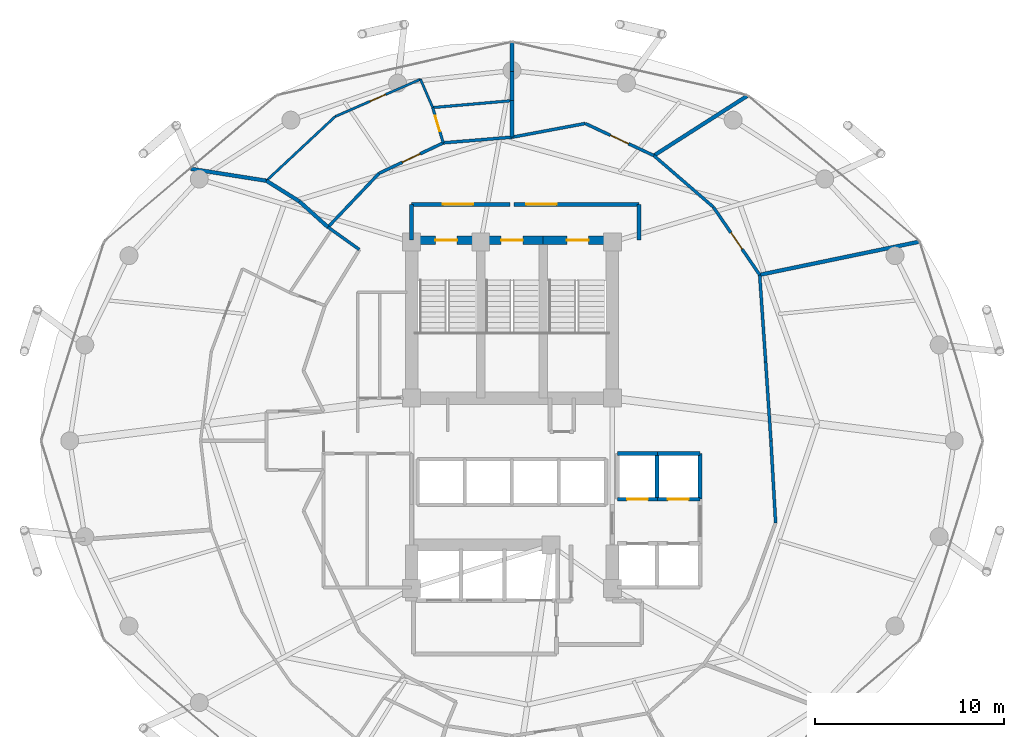
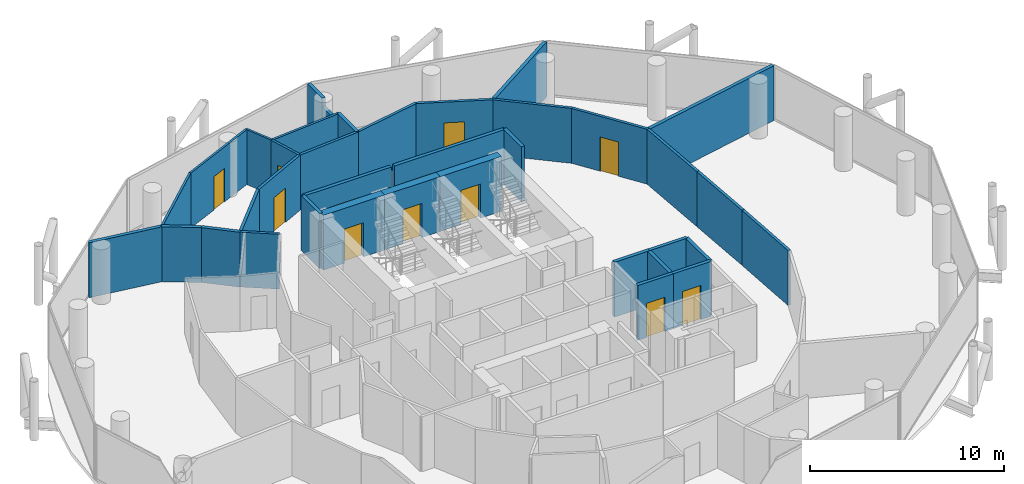
# One storey, part 24 of 26: 37 walls, 12 doors, 12 openings.
"""IFC4 building model written with IfcOpenShell, lengths in metres."""

from ifc_helpers import new_model, si_unit, direction, frame, frame_2d, origin, place, context, subcontext, project, spatial, rectangle, extrude, material, layer, layer_set, type_object, element, fill, save


model = new_model("IFC4")

# Units and contexts
model_context = context("Model", 3, precision=1e-05, world=origin(), true_north=direction((0.0, 1.0)))
body_context = subcontext(model_context, "Body", "Model", "MODEL_VIEW")
ifc_project = project(units=[si_unit("LENGTHUNIT", "METRE"), si_unit("AREAUNIT", "SQUARE_METRE"), si_unit("VOLUMEUNIT", "CUBIC_METRE"), si_unit("PLANEANGLEUNIT", "RADIAN"), si_unit("MASSUNIT", "GRAM", prefix="KILO")], contexts=[model_context])

# Site, building, storey
site_placement = place(None, origin())
site = spatial("IfcSite", under=ifc_project, at=site_placement, CompositionType="ELEMENT")
building_placement = place(site_placement, origin())
building = spatial("IfcBuilding", under=site, at=building_placement, Name="Nuhasar Tower", CompositionType="ELEMENT")
storey_placement = place(building_placement, frame((0.0, 0.0, 140.449951171875)))
storey = spatial("IfcBuildingStorey", under=building, at=storey_placement, Name="L33", CompositionType="ELEMENT", Elevation=140.449951171875)

# Wall, opening, door
ifc_material_1 = material(Name="Concrete C50/60", Category="concrete")
ifc_layer_1 = layer(ifc_material_1, 0.449951171875)
ifc_layer_set_1 = layer_set([ifc_layer_1], Name="Concrete C50/60")
wall_type_1 = type_object("IfcWallType", Name="WL-CORE-450", PredefinedType="SHEAR", material=ifc_layer_set_1)
wall_1_placement = place(storey_placement, frame((37.35009765625, 37.39990234375, 0.0), z_axis=(0.0, 0.0, 1.0), x_axis=(-1.0, 0.0, 0.0)))
wall_1 = element("IfcWall", 1, at=wall_1_placement, inside=storey, type_object=wall_type_1, Name="L33 Stairwell Shear Wall ST01-N", PredefinedType="SHEAR", context=body_context, shape_type="SweptSolid", body=[
    extrude(rectangle(XDim=3.650146484375, YDim=0.449951171875, at=frame_2d((1.8251953125, 0.0))), origin(), (0.0, 0.0, 1.0), 3.449951171875),
])
opening_1_placement = place(wall_1_placement, frame((1.25, 0.0, 0.0)))
opening_1 = element("IfcOpeningElement", 2, at=opening_1_placement, cuts=wall_1, Name="Opening DS-01", PredefinedType="OPENING", context=body_context, shape_type="SweptSolid", body=[
    extrude(rectangle(XDim=1.14990234375, YDim=2.14990234375, at=frame_2d((0.574951171875, 1.074951171875))), frame((0.0, 0.23486328125, 0.0), z_axis=(0.0, -1.0, 0.0), x_axis=(1.0, 0.0, 0.0)), (0.0, 0.0, 1.0), 0.469970703125),
])
ifc_material_2 = material(Name="Steel S355", Category="steel")
door_type_1 = type_object("IfcDoorType", Name="DR-STAIR-FD120-1150", OperationType="NOTDEFINED", PredefinedType="DOOR", material=ifc_material_2)
door_1_placement = place(opening_1_placement, origin())
door_1 = element("IfcDoor", 3, at=door_1_placement, inside=storey, type_object=door_type_1, Name="L33 Exit Stair ST-01 Door", OperationType="SINGLE_SWING_RIGHT", OverallHeight=2.14990234375, OverallWidth=1.14990234375, PredefinedType="DOOR", context=body_context, shape_type="SweptSolid", body=[
    extrude(rectangle(XDim=1.14990234375, YDim=2.14990234375, at=frame_2d((0.574951171875, 1.074951171875))), frame((0.0, 0.02490234375, 0.0), z_axis=(0.0, -1.0, 0.0), x_axis=(1.0, 0.0, 0.0)), (0.0, 0.0, 1.0), 0.050048828125),
])
fill(opening_1, door_1)

wall_2_placement = place(storey_placement, frame((40.64990234375, 37.39990234375, 0.0), z_axis=(0.0, 0.0, 1.0), x_axis=(-1.0, 0.0, 0.0)))
wall_2 = element("IfcWall", 4, at=wall_2_placement, inside=storey, type_object=wall_type_1, Name="L33 Stairwell Shear Wall ST03-N", PredefinedType="SHEAR", context=body_context, shape_type="SweptSolid", body=[
    extrude(rectangle(XDim=3.2998046875, YDim=0.449951171875, at=frame_2d((1.64990234375, 0.0))), origin(), (0.0, 0.0, 1.0), 3.449951171875),
])
opening_2_placement = place(wall_2_placement, frame((1.074951171875, 0.0, 0.0)))
opening_2 = element("IfcOpeningElement", 5, at=opening_2_placement, cuts=wall_2, Name="Opening DS-01", PredefinedType="OPENING", context=body_context, shape_type="SweptSolid", body=[
    extrude(rectangle(XDim=1.14990234375, YDim=2.14990234375, at=frame_2d((0.574951171875, 1.074951171875))), frame((0.0, 0.23486328125, 0.0), z_axis=(0.0, -1.0, 0.0), x_axis=(1.0, 0.0, 0.0)), (0.0, 0.0, 1.0), 0.469970703125),
])
door_2_placement = place(opening_2_placement, origin())
door_2 = element("IfcDoor", 6, at=door_2_placement, inside=storey, type_object=door_type_1, Name="L33 Exit Stair ST-03 Door", OperationType="SINGLE_SWING_RIGHT", OverallHeight=2.14990234375, OverallWidth=1.14990234375, PredefinedType="DOOR", context=body_context, shape_type="SweptSolid", body=[
    extrude(rectangle(XDim=1.14990234375, YDim=2.14990234375, at=frame_2d((0.574951171875, 1.074951171875))), frame((0.0, 0.02490234375, 0.0), z_axis=(0.0, -1.0, 0.0), x_axis=(1.0, 0.0, 0.0)), (0.0, 0.0, 1.0), 0.050048828125),
])
fill(opening_2, door_2)

wall_3_placement = place(storey_placement, frame((44.300048828125, 37.39990234375, 0.0), z_axis=(0.0, 0.0, 1.0), x_axis=(-1.0, 0.0, 0.0)))
wall_3 = element("IfcWall", 7, at=wall_3_placement, inside=storey, type_object=wall_type_1, Name="L33 Stairwell Shear Wall ST02-N", PredefinedType="SHEAR", context=body_context, shape_type="SweptSolid", body=[
    extrude(rectangle(XDim=3.650146484375, YDim=0.449951171875, at=frame_2d((1.8251953125, 0.0))), origin(), (0.0, 0.0, 1.0), 3.449951171875),
])
opening_3_placement = place(wall_3_placement, frame((1.25, 0.0, 0.0)))
opening_3 = element("IfcOpeningElement", 8, at=opening_3_placement, cuts=wall_3, Name="Opening DS-01", PredefinedType="OPENING", context=body_context, shape_type="SweptSolid", body=[
    extrude(rectangle(XDim=1.14990234375, YDim=2.14990234375, at=frame_2d((0.574951171875, 1.074951171875))), frame((0.0, 0.23486328125, 0.0), z_axis=(0.0, -1.0, 0.0), x_axis=(1.0, 0.0, 0.0)), (0.0, 0.0, 1.0), 0.469970703125),
])
door_3_placement = place(opening_3_placement, origin())
door_3 = element("IfcDoor", 9, at=door_3_placement, inside=storey, type_object=door_type_1, Name="L33 Exit Stair ST-02 Door", OperationType="SINGLE_SWING_LEFT", OverallHeight=2.14990234375, OverallWidth=1.14990234375, PredefinedType="DOOR", context=body_context, shape_type="SweptSolid", body=[
    extrude(rectangle(XDim=1.14990234375, YDim=2.14990234375, at=frame_2d((0.574951171875, 1.074951171875))), frame((0.0, 0.02490234375, 0.0), z_axis=(0.0, -1.0, 0.0), x_axis=(1.0, 0.0, 0.0)), (0.0, 0.0, 1.0), 0.050048828125),
])
fill(opening_3, door_3)

# Walls
ifc_material_3 = material(Name="Gypsum Board", Category="gypsum")
ifc_layer_2 = layer(ifc_material_3, 0.159912109375)
ifc_layer_set_2 = layer_set([ifc_layer_2], Name="Gypsum Board")
wall_type_2 = type_object("IfcWallType", Name="WL-CORR-160", PredefinedType="PARTITIONING", material=ifc_layer_set_2)
wall_4_placement = place(storey_placement, frame((52.91796875, 22.470947265625, 0.0), z_axis=(0.0, 0.0, 1.0), x_axis=(-0.057203717973, 0.998362526666, 0.0)))
element("IfcWall", 10, at=wall_4_placement, inside=storey, type_object=wall_type_2, Name="L33 Interior Partition CORR-46", PredefinedType="PARTITIONING", context=body_context, shape_type="SweptSolid", body=[
    extrude(rectangle(XDim=4.336181640625, YDim=0.159912109375, at=frame_2d((2.16796875, 0.0))), origin(), (0.0, 0.0, 1.0), 3.449951171875),
])
wall_5_placement = place(storey_placement, frame((52.669921875, 26.800048828125, 0.0), z_axis=(0.0, 0.0, 1.0), x_axis=(-0.066309434359, 0.997799107494, 0.0)))
element("IfcWall", 11, at=wall_5_placement, inside=storey, type_object=wall_type_2, Name="L33 Interior Partition CORR-00", PredefinedType="PARTITIONING", context=body_context, shape_type="SweptSolid", body=[
    extrude(rectangle(XDim=4.17529296875, YDim=0.159912109375, at=frame_2d((2.087646484375, 0.0))), origin(), (0.0, 0.0, 1.0), 3.449951171875),
])
wall_6_placement = place(storey_placement, frame((52.39306640625, 30.966064453125, 0.0), z_axis=(0.0, 0.0, 1.0), x_axis=(-0.068811181555, 0.997629701489, 0.0)))
element("IfcWall", 12, at=wall_6_placement, inside=storey, type_object=wall_type_2, Name="L33 Interior Partition CORR-02", PredefinedType="PARTITIONING", context=body_context, shape_type="SweptSolid", body=[
    extrude(rectangle(XDim=4.60888671875, YDim=0.159912109375, at=frame_2d((2.304443359375, 0.0))), origin(), (0.0, 0.0, 1.0), 3.449951171875),
])

# Wall, opening, door
wall_7_placement = place(storey_placement, frame((49.631103515625, 39.14306640625, 0.0), z_axis=(0.0, 0.0, 1.0), x_axis=(0.564049708202, -0.825740835055, 0.0)))
wall_7 = element("IfcWall", 13, at=wall_7_placement, inside=storey, type_object=wall_type_2, Name="L33 Interior Partition CORR-04", PredefinedType="PARTITIONING", context=body_context, shape_type="SweptSolid", body=[
    extrude(rectangle(XDim=4.33447265625, YDim=0.159912109375, at=frame_2d((2.167236328125, 0.0))), origin(), (0.0, 0.0, 1.0), 3.449951171875),
])
opening_4_placement = place(wall_7_placement, frame((1.64208984375, 0.0, 0.0)))
opening_4 = element("IfcOpeningElement", 14, at=opening_4_placement, cuts=wall_7, Name="Opening DU-01", PredefinedType="OPENING", context=body_context, shape_type="SweptSolid", body=[
    extrude(rectangle(XDim=1.050048828125, YDim=2.14990234375, at=frame_2d((0.52490234375, 1.074951171875))), frame((0.0, 0.08984375, 0.0), z_axis=(0.0, -1.0, 0.0), x_axis=(1.0, 0.0, 0.0)), (0.0, 0.0, 1.0), 0.179931640625),
])
ifc_material_4 = material(Name="Timber Oak", Category="wood")
door_type_2 = type_object("IfcDoorType", Name="DR-SUITE-FD60-1050", OperationType="NOTDEFINED", PredefinedType="DOOR", material=ifc_material_4)
door_4_placement = place(opening_4_placement, origin())
door_4 = element("IfcDoor", 15, at=door_4_placement, inside=storey, type_object=door_type_2, Name="L33 Club Buffet Kitchen Entrance Door", OperationType="SINGLE_SWING_RIGHT", OverallHeight=2.14990234375, OverallWidth=1.050048828125, PredefinedType="DOOR", context=body_context, shape_type="SweptSolid", body=[
    extrude(rectangle(XDim=1.050048828125, YDim=2.14990234375, at=frame_2d((0.52490234375, 1.074951171875))), frame((0.0, 0.02490234375, 0.0), z_axis=(0.0, -1.0, 0.0), x_axis=(1.0, 0.0, 0.0)), (0.0, 0.0, 1.0), 0.050048828125),
])
fill(opening_4, door_4)

# Wall
wall_8_placement = place(storey_placement, frame((49.631103515625, 39.14306640625, 0.0), z_axis=(0.0, 0.0, 1.0), x_axis=(-0.756415827975, 0.65409104503, 0.0)))
element("IfcWall", 16, at=wall_8_placement, inside=storey, type_object=wall_type_2, Name="L33 Interior Partition CORR-06", PredefinedType="PARTITIONING", context=body_context, shape_type="SweptSolid", body=[
    extrude(rectangle(XDim=4.15380859375, YDim=0.159912109375, at=frame_2d((2.076904296875, 0.0))), origin(), (0.0, 0.0, 1.0), 3.449951171875),
])

# Wall, opening, door
wall_9_placement = place(storey_placement, frame((42.866943359375, 43.553955078125, 0.0), z_axis=(0.0, 0.0, 1.0), x_axis=(0.905842799217, -0.423614002492, 0.0)))
wall_9 = element("IfcWall", 17, at=wall_9_placement, inside=storey, type_object=wall_type_2, Name="L33 Interior Partition CORR-08", PredefinedType="PARTITIONING", context=body_context, shape_type="SweptSolid", body=[
    extrude(rectangle(XDim=3.99853515625, YDim=0.159912109375, at=frame_2d((1.999267578125, 0.0))), origin(), (0.0, 0.0, 1.0), 3.449951171875),
])
opening_5_placement = place(wall_9_placement, frame((1.47412109375, 0.0, 0.0)))
opening_5 = element("IfcOpeningElement", 18, at=opening_5_placement, cuts=wall_9, Name="Opening DU-01", PredefinedType="OPENING", context=body_context, shape_type="SweptSolid", body=[
    extrude(rectangle(XDim=1.050048828125, YDim=2.14990234375, at=frame_2d((0.52490234375, 1.074951171875))), frame((0.0, 0.08984375, 0.0), z_axis=(0.0, -1.0, 0.0), x_axis=(1.0, 0.0, 0.0)), (0.0, 0.0, 1.0), 0.179931640625),
])
door_5_placement = place(opening_5_placement, origin())
door_5 = element("IfcDoor", 19, at=door_5_placement, inside=storey, type_object=door_type_2, Name="L33 Club Meeting Room Entrance Door", OperationType="SINGLE_SWING_RIGHT", OverallHeight=2.14990234375, OverallWidth=1.050048828125, PredefinedType="DOOR", context=body_context, shape_type="SweptSolid", body=[
    extrude(rectangle(XDim=1.050048828125, YDim=2.14990234375, at=frame_2d((0.52490234375, 1.074951171875))), frame((0.0, 0.02490234375, 0.0), z_axis=(0.0, -1.0, 0.0), x_axis=(1.0, 0.0, 0.0)), (0.0, 0.0, 1.0), 0.050048828125),
])
fill(opening_5, door_5)

# Walls
wall_10_placement = place(storey_placement, frame((42.866943359375, 43.553955078125, 0.0), z_axis=(0.0, 0.0, 1.0), x_axis=(-0.982926239859, -0.184000019015, 0.0)))
element("IfcWall", 20, at=wall_10_placement, inside=storey, type_object=wall_type_2, Name="L33 Interior Partition CORR-10", PredefinedType="PARTITIONING", context=body_context, shape_type="SweptSolid", body=[
    extrude(rectangle(XDim=3.93408203125, YDim=0.159912109375, at=frame_2d((1.967041015625, 0.0))), origin(), (0.0, 0.0, 1.0), 3.449951171875),
])
wall_11_placement = place(storey_placement, frame((39.0, 42.830078125, 0.0), z_axis=(0.0, 0.0, 1.0), x_axis=(-0.996622986435, -0.082113475813, 0.0)))
element("IfcWall", 21, at=wall_11_placement, inside=storey, type_object=wall_type_2, Name="L33 Interior Partition CORR-12", PredefinedType="PARTITIONING", context=body_context, shape_type="SweptSolid", body=[
    extrude(rectangle(XDim=3.64208984375, YDim=0.159912109375, at=frame_2d((1.821044921875, 0.0))), origin(), (0.0, 0.0, 1.0), 3.449951171875),
])

# Wall, opening, door
wall_12_placement = place(storey_placement, frame((31.97802734375, 40.919921875, 0.0), z_axis=(0.0, 0.0, 1.0), x_axis=(0.903293881329, 0.429022335029, 0.0)))
wall_12 = element("IfcWall", 22, at=wall_12_placement, inside=storey, type_object=wall_type_2, Name="L33 Interior Partition CORR-14", PredefinedType="PARTITIONING", context=body_context, shape_type="SweptSolid", body=[
    extrude(rectangle(XDim=3.755126953125, YDim=0.159912109375, at=frame_2d((1.87744140625, 0.0))), origin(), (0.0, 0.0, 1.0), 3.449951171875),
])
opening_6_placement = place(wall_12_placement, frame((1.35302734375, 0.0, 0.0)))
opening_6 = element("IfcOpeningElement", 23, at=opening_6_placement, cuts=wall_12, Name="Opening DU-01", PredefinedType="OPENING", context=body_context, shape_type="SweptSolid", body=[
    extrude(rectangle(XDim=1.050048828125, YDim=2.14990234375, at=frame_2d((0.52490234375, 1.074951171875))), frame((0.0, 0.08984375, 0.0), z_axis=(0.0, -1.0, 0.0), x_axis=(1.0, 0.0, 0.0)), (0.0, 0.0, 1.0), 0.179931640625),
])
door_6_placement = place(opening_6_placement, origin())
door_6 = element("IfcDoor", 24, at=door_6_placement, inside=storey, type_object=door_type_2, Name="L33 Marina Corner Suite 03 Entrance Door", OperationType="SINGLE_SWING_LEFT", OverallHeight=2.14990234375, OverallWidth=1.050048828125, PredefinedType="DOOR", context=body_context, shape_type="SweptSolid", body=[
    extrude(rectangle(XDim=1.050048828125, YDim=2.14990234375, at=frame_2d((0.52490234375, 1.074951171875))), frame((0.0, 0.02490234375, 0.0), z_axis=(0.0, -1.0, 0.0), x_axis=(1.0, 0.0, 0.0)), (0.0, 0.0, 1.0), 0.050048828125),
])
fill(opening_6, door_6)

# Walls
wall_13_placement = place(storey_placement, frame((31.97802734375, 40.919921875, 0.0), z_axis=(0.0, 0.0, 1.0), x_axis=(-0.688624853508, -0.725117791211, 0.0)))
element("IfcWall", 25, at=wall_13_placement, inside=storey, type_object=wall_type_2, Name="L33 Interior Partition CORR-16", PredefinedType="PARTITIONING", context=body_context, shape_type="SweptSolid", body=[
    extrude(rectangle(XDim=3.91357421875, YDim=0.159912109375, at=frame_2d((1.956787109375, 0.0))), origin(), (0.0, 0.0, 1.0), 3.449951171875),
])
wall_14_placement = place(storey_placement, frame((30.93896484375, 36.89697265625, 0.0), z_axis=(0.0, 0.0, 1.0), x_axis=(-0.813222809356, 0.581952457116, 0.0)))
element("IfcWall", 26, at=wall_14_placement, inside=storey, type_object=wall_type_2, Name="L33 Interior Partition HRAD-18-IN", PredefinedType="PARTITIONING", context=body_context, shape_type="SweptSolid", body=[
    extrude(rectangle(XDim=2.036376953125, YDim=0.159912109375, at=frame_2d((1.01806640625, 0.0))), origin(), (0.0, 0.0, 1.0), 3.449951171875),
])
ifc_material_5 = material(Name="Concrete C45/55", Category="concrete")
ifc_layer_3 = layer(ifc_material_5, 0.199951171875)
ifc_layer_set_3 = layer_set([ifc_layer_3], Name="Concrete C45/55")
wall_type_3 = type_object("IfcWallType", Name="WL-LOBBY-200", PredefinedType="SOLIDWALL", material=ifc_layer_set_3)
for number, where, z_axis, x_axis, name in (
    (27, (33.699951171875, 37.39990234375, 0.0), (0.0, 0.0, 1.0), (0.0, 1.0, 0.0), "L33 Interior Partition NSL-W"),
    (28, (45.699951171875, 37.39990234375, 0.0), (0.0, 0.0, 1.0), (0.0, 1.0, 0.0), "L33 Interior Partition NSL-E"),
):
    element("IfcWall", number, at=place(storey_placement, frame(where, z_axis=z_axis, x_axis=x_axis)), inside=storey, type_object=wall_type_3, Name=name, PredefinedType="SOLIDWALL", context=body_context, shape_type="SweptSolid", body=[
        extrude(rectangle(XDim=1.880126953125, YDim=0.199951171875, at=frame_2d((0.93994140625, 0.0))), origin(), (0.0, 0.0, 1.0), 3.449951171875),
    ])

# Wall, opening, door
wall_15_placement = place(storey_placement, frame((38.89990234375, 39.280029296875, 0.0), z_axis=(0.0, 0.0, 1.0), x_axis=(-1.0, 0.0, 0.0)))
wall_15 = element("IfcWall", 29, at=wall_15_placement, inside=storey, type_object=wall_type_3, Name="L33 Interior Partition NSL-N1", PredefinedType="SOLIDWALL", context=body_context, shape_type="SweptSolid", body=[
    extrude(rectangle(XDim=5.199951171875, YDim=0.199951171875, at=frame_2d((2.60009765625, 0.0))), origin(), (0.0, 0.0, 1.0), 3.449951171875),
])
opening_7_placement = place(wall_15_placement, frame((1.949951171875, 0.0, 0.0)))
opening_7 = element("IfcOpeningElement", 30, at=opening_7_placement, cuts=wall_15, Name="Opening DC-01", PredefinedType="OPENING", context=body_context, shape_type="SweptSolid", body=[
    extrude(rectangle(XDim=1.60009765625, YDim=2.199951171875, at=frame_2d((0.800048828125, 1.10009765625))), frame((0.0, 0.10986328125, 0.0), z_axis=(0.0, -1.0, 0.0), x_axis=(1.0, 0.0, 0.0)), (0.0, 0.0, 1.0), 0.219970703125),
])
door_type_3 = type_object("IfcDoorType", Name="DR-CORR-FD60-1600", OperationType="DOUBLE_DOOR_SINGLE_SWING", PredefinedType="DOOR", material=ifc_material_2)
door_7_placement = place(opening_7_placement, origin())
door_7 = element("IfcDoor", 31, at=door_7_placement, inside=storey, type_object=door_type_3, Name="L33 North Stair Lobby West Door", OperationType="DOUBLE_DOOR_SINGLE_SWING", OverallHeight=2.199951171875, OverallWidth=1.60009765625, PredefinedType="DOOR", context=body_context, shape_type="SweptSolid", body=[
    extrude(rectangle(XDim=1.60009765625, YDim=2.199951171875, at=frame_2d((0.800048828125, 1.10009765625))), frame((0.0, 0.02490234375, 0.0), z_axis=(0.0, -1.0, 0.0), x_axis=(1.0, 0.0, 0.0)), (0.0, 0.0, 1.0), 0.050048828125),
])
fill(opening_7, door_7)

wall_16_placement = place(storey_placement, frame((45.699951171875, 39.280029296875, 0.0), z_axis=(0.0, 0.0, 1.0), x_axis=(-1.0, 0.0, 0.0)))
wall_16 = element("IfcWall", 32, at=wall_16_placement, inside=storey, type_object=wall_type_3, Name="L33 Interior Partition NSL-N2", PredefinedType="SOLIDWALL", context=body_context, shape_type="SweptSolid", body=[
    extrude(rectangle(XDim=6.599853515625, YDim=0.199951171875, at=frame_2d((3.2998046875, 0.0))), origin(), (0.0, 0.0, 1.0), 3.449951171875),
])
opening_8_placement = place(wall_16_placement, frame((4.35009765625, 0.0, 0.0)))
opening_8 = element("IfcOpeningElement", 33, at=opening_8_placement, cuts=wall_16, Name="Opening DC-01", PredefinedType="OPENING", context=body_context, shape_type="SweptSolid", body=[
    extrude(rectangle(XDim=1.60009765625, YDim=2.199951171875, at=frame_2d((0.800048828125, 1.10009765625))), frame((0.0, 0.10986328125, 0.0), z_axis=(0.0, -1.0, 0.0), x_axis=(1.0, 0.0, 0.0)), (0.0, 0.0, 1.0), 0.219970703125),
])
door_8_placement = place(opening_8_placement, origin())
door_8 = element("IfcDoor", 34, at=door_8_placement, inside=storey, type_object=door_type_3, Name="L33 North Stair Lobby East Door", OperationType="DOUBLE_DOOR_SINGLE_SWING", OverallHeight=2.199951171875, OverallWidth=1.60009765625, PredefinedType="DOOR", context=body_context, shape_type="SweptSolid", body=[
    extrude(rectangle(XDim=1.60009765625, YDim=2.199951171875, at=frame_2d((0.800048828125, 1.10009765625))), frame((0.0, 0.02490234375, 0.0), z_axis=(0.0, -1.0, 0.0), x_axis=(1.0, 0.0, 0.0)), (0.0, 0.0, 1.0), 0.050048828125),
])
fill(opening_8, door_8)

# Wall
ifc_layer_4 = layer(ifc_material_3, 0.125)
ifc_layer_set_4 = layer_set([ifc_layer_4], Name="Gypsum Board")
wall_type_4 = type_object("IfcWallType", Name="WL-PART-125", PredefinedType="PARTITIONING", material=ifc_layer_set_4)
wall_17_placement = place(storey_placement, frame((34.81298828125, 44.39404296875, 0.0), z_axis=(0.0, 0.0, 1.0), x_axis=(-0.395456593767, 0.918484666419, 0.0)))
element("IfcWall", 35, at=wall_17_placement, inside=storey, type_object=wall_type_4, Name="L33 Interior Partition HBS-06", PredefinedType="PARTITIONING", context=body_context, shape_type="SweptSolid", body=[
    extrude(rectangle(XDim=1.628662109375, YDim=0.125, at=frame_2d((0.814453125, 0.0))), origin(), (0.0, 0.0, 1.0), 3.449951171875),
])

# Wall, opening, door
wall_18_placement = place(storey_placement, frame((29.6650390625, 43.9208984375, 0.0), z_axis=(0.0, 0.0, 1.0), x_axis=(0.916266732184, 0.400568690105, 0.0)))
wall_18 = element("IfcWall", 36, at=wall_18_placement, inside=storey, type_object=wall_type_4, Name="L33 Interior Partition HSAL-06-14", PredefinedType="PARTITIONING", context=body_context, shape_type="SweptSolid", body=[
    extrude(rectangle(XDim=4.91552734375, YDim=0.125, at=frame_2d((2.457763671875, 0.0))), origin(), (0.0, 0.0, 1.0), 3.449951171875),
])
opening_9_placement = place(wall_18_placement, frame((2.008056640625, 0.0, 0.0)))
opening_9 = element("IfcOpeningElement", 37, at=opening_9_placement, cuts=wall_18, Name="Opening DR-01", PredefinedType="OPENING", context=body_context, shape_type="SweptSolid", body=[
    extrude(rectangle(XDim=0.89990234375, YDim=2.10009765625, at=frame_2d((0.449951171875, 1.050048828125))), frame((0.0, 0.072509765625, 0.0), z_axis=(0.0, -1.0, 0.0), x_axis=(1.0, 0.0, 0.0)), (0.0, 0.0, 1.0), 0.14501953125),
])
door_type_4 = type_object("IfcDoorType", Name="DR-ROOM-900", OperationType="NOTDEFINED", PredefinedType="DOOR", material=ifc_material_4)
door_9_placement = place(opening_9_placement, origin())
door_9 = element("IfcDoor", 38, at=door_9_placement, inside=storey, type_object=door_type_4, Name="L33 Marina Corner Suite 03 Bedroom Door", OperationType="SINGLE_SWING_LEFT", OverallHeight=2.10009765625, OverallWidth=0.89990234375, PredefinedType="DOOR", context=body_context, shape_type="SweptSolid", body=[
    extrude(rectangle(XDim=0.89990234375, YDim=2.10009765625, at=frame_2d((0.449951171875, 1.050048828125))), frame((0.0, 0.02490234375, 0.0), z_axis=(0.0, -1.0, 0.0), x_axis=(1.0, 0.0, 0.0)), (0.0, 0.0, 1.0), 0.050048828125),
])
fill(opening_9, door_9)

# Wall
wall_19_placement = place(storey_placement, frame((29.6650390625, 43.9208984375, 0.0), z_axis=(0.0, 0.0, 1.0), x_axis=(-0.731151660119, -0.682214958723, 0.0)))
element("IfcWall", 39, at=wall_19_placement, inside=storey, type_object=wall_type_4, Name="L33 Interior Partition HSAL-06-16", PredefinedType="PARTITIONING", context=body_context, shape_type="SweptSolid", body=[
    extrude(rectangle(XDim=4.968994140625, YDim=0.125, at=frame_2d((2.484375, 0.0))), origin(), (0.0, 0.0, 1.0), 3.449951171875),
])

# Wall, opening, door
ifc_layer_5 = layer(ifc_material_5, 0.199951171875)
ifc_layer_set_5 = layer_set([ifc_layer_5], Name="Concrete C45/55")
wall_type_5 = type_object("IfcWallType", Name="WL-SHAFT-200", PredefinedType="SOLIDWALL", material=ifc_layer_set_5)
wall_20_placement = place(storey_placement, frame((44.570068359375, 23.719970703125, 0.0), z_axis=(0.0, 0.0, 1.0), x_axis=(1.0, 0.0, 0.0)))
wall_20 = element("IfcWall", 40, at=wall_20_placement, inside=storey, type_object=wall_type_5, Name="L33 Interior Partition SHF-PL-M01-S", PredefinedType="SOLIDWALL", context=body_context, shape_type="SweptSolid", body=[
    extrude(rectangle(XDim=2.10986328125, YDim=0.199951171875, at=frame_2d((1.054931640625, 0.0))), origin(), (0.0, 0.0, 1.0), 3.449951171875),
])
opening_10_placement = place(wall_20_placement, frame((0.5048828125, 0.0, 0.0)))
opening_10 = element("IfcOpeningElement", 41, at=opening_10_placement, cuts=wall_20, Name="Opening LD-M01", PredefinedType="OPENING", context=body_context, shape_type="SweptSolid", body=[
    extrude(rectangle(XDim=1.10009765625, YDim=2.14990234375, at=frame_2d((0.550048828125, 1.074951171875))), frame((0.0, 0.10986328125, 0.0), z_axis=(0.0, -1.0, 0.0), x_axis=(1.0, 0.0, 0.0)), (0.0, 0.0, 1.0), 0.219970703125),
])
ifc_material_6 = material(Name="Stainless Steel 316L", Category="steel")
door_type_5 = type_object("IfcDoorType", Name="LD-PAX-1100", OperationType="DOUBLE_DOOR_SLIDING", PredefinedType="DOOR", material=ifc_material_6)
door_10_placement = place(opening_10_placement, origin())
door_10 = element("IfcDoor", 42, at=door_10_placement, inside=storey, type_object=door_type_5, Name="L33 Lift Landing Door PL-M01", OperationType="DOUBLE_DOOR_SLIDING", OverallHeight=2.14990234375, OverallWidth=1.10009765625, PredefinedType="DOOR", context=body_context, shape_type="SweptSolid", body=[
    extrude(rectangle(XDim=1.10009765625, YDim=2.14990234375, at=frame_2d((0.550048828125, 1.074951171875))), frame((0.0, 0.02490234375, 0.0), z_axis=(0.0, -1.0, 0.0), x_axis=(1.0, 0.0, 0.0)), (0.0, 0.0, 1.0), 0.050048828125),
])
fill(opening_10, door_10)

# Walls
wall_21_placement = place(storey_placement, frame((44.570068359375, 26.1298828125, 0.0), z_axis=(0.0, 0.0, 1.0), x_axis=(1.0, 0.0, 0.0)))
element("IfcWall", 43, at=wall_21_placement, inside=storey, type_object=wall_type_5, Name="L33 Interior Partition SHF-PL-M01-N", PredefinedType="SOLIDWALL", context=body_context, shape_type="SweptSolid", body=[
    extrude(rectangle(XDim=2.10986328125, YDim=0.199951171875, at=frame_2d((1.054931640625, 0.0))), origin(), (0.0, 0.0, 1.0), 3.449951171875),
])
wall_22_placement = place(storey_placement, frame((46.64990234375, 23.719970703125, 0.0), z_axis=(0.0, 0.0, 1.0), x_axis=(0.0, 1.0, 0.0)))
element("IfcWall", 44, at=wall_22_placement, inside=storey, type_object=wall_type_5, Name="L33 Interior Partition SHF-PL-M01-E", PredefinedType="SOLIDWALL", context=body_context, shape_type="SweptSolid", body=[
    extrude(rectangle(XDim=2.409912109375, YDim=0.199951171875, at=frame_2d((1.205078125, 0.0))), origin(), (0.0, 0.0, 1.0), 3.449951171875),
])

# Wall, opening, door
wall_23_placement = place(storey_placement, frame((46.6201171875, 23.719970703125, 0.0), z_axis=(0.0, 0.0, 1.0), x_axis=(1.0, 0.0, 0.0)))
wall_23 = element("IfcWall", 45, at=wall_23_placement, inside=storey, type_object=wall_type_5, Name="L33 Interior Partition SHF-PL-M02-S", PredefinedType="SOLIDWALL", context=body_context, shape_type="SweptSolid", body=[
    extrude(rectangle(XDim=2.309814453125, YDim=0.199951171875, at=frame_2d((1.15478515625, 0.0))), origin(), (0.0, 0.0, 1.0), 3.449951171875),
])
opening_11_placement = place(wall_23_placement, frame((0.60498046875, 0.0, 0.0)))
opening_11 = element("IfcOpeningElement", 46, at=opening_11_placement, cuts=wall_23, Name="Opening LD-M02", PredefinedType="OPENING", context=body_context, shape_type="SweptSolid", body=[
    extrude(rectangle(XDim=1.10009765625, YDim=2.14990234375, at=frame_2d((0.550048828125, 1.074951171875))), frame((0.0, 0.10986328125, 0.0), z_axis=(0.0, -1.0, 0.0), x_axis=(1.0, 0.0, 0.0)), (0.0, 0.0, 1.0), 0.219970703125),
])
door_11_placement = place(opening_11_placement, origin())
door_11 = element("IfcDoor", 47, at=door_11_placement, inside=storey, type_object=door_type_5, Name="L33 Lift Landing Door PL-M02", OperationType="DOUBLE_DOOR_SLIDING", OverallHeight=2.14990234375, OverallWidth=1.10009765625, PredefinedType="DOOR", context=body_context, shape_type="SweptSolid", body=[
    extrude(rectangle(XDim=1.10009765625, YDim=2.14990234375, at=frame_2d((0.550048828125, 1.074951171875))), frame((0.0, 0.02490234375, 0.0), z_axis=(0.0, -1.0, 0.0), x_axis=(1.0, 0.0, 0.0)), (0.0, 0.0, 1.0), 0.050048828125),
])
fill(opening_11, door_11)

# Walls
wall_24_placement = place(storey_placement, frame((46.6201171875, 26.1298828125, 0.0), z_axis=(0.0, 0.0, 1.0), x_axis=(1.0, 0.0, 0.0)))
element("IfcWall", 48, at=wall_24_placement, inside=storey, type_object=wall_type_5, Name="L33 Interior Partition SHF-PL-M02-N", PredefinedType="SOLIDWALL", context=body_context, shape_type="SweptSolid", body=[
    extrude(rectangle(XDim=2.309814453125, YDim=0.199951171875, at=frame_2d((1.15478515625, 0.0))), origin(), (0.0, 0.0, 1.0), 3.449951171875),
])
wall_25_placement = place(storey_placement, frame((48.929931640625, 23.719970703125, 0.0), z_axis=(0.0, 0.0, 1.0), x_axis=(0.0, 1.0, 0.0)))
element("IfcWall", 49, at=wall_25_placement, inside=storey, type_object=wall_type_5, Name="L33 Interior Partition SHF-PL-M02-E", PredefinedType="SOLIDWALL", context=body_context, shape_type="SweptSolid", body=[
    extrude(rectangle(XDim=2.409912109375, YDim=0.199951171875, at=frame_2d((1.205078125, 0.0))), origin(), (0.0, 0.0, 1.0), 3.449951171875),
])
ifc_material_7 = material(Name="Concrete C40/50 precast", Category="concrete")
ifc_layer_6 = layer(ifc_material_7, 0.199951171875)
ifc_layer_set_6 = layer_set([ifc_layer_6], Name="Concrete C40/50 precast")
wall_type_6 = type_object("IfcWallType", Name="WL-UNIT-200", PredefinedType="PARTITIONING", material=ifc_layer_set_6)
wall_26_placement = place(storey_placement, frame((29.282958984375, 38.08203125, 0.0), z_axis=(0.0, 0.0, 1.0), x_axis=(-0.743001572908, 0.669289670215, 0.0)))
element("IfcWall", 50, at=wall_26_placement, inside=storey, type_object=wall_type_6, Name="L33 Interior Partition HRAD-18-OUT-S1", PredefinedType="PARTITIONING", context=body_context, shape_type="SweptSolid", body=[
    extrude(rectangle(XDim=2.03369140625, YDim=0.199951171875, at=frame_2d((1.016845703125, 0.0))), origin(), (0.0, 0.0, 1.0), 3.449951171875),
])
wall_27_placement = place(storey_placement, frame((27.77197265625, 39.443115234375, 0.0), z_axis=(0.0, 0.0, 1.0), x_axis=(-0.847911403155, 0.530137956007, 0.0)))
element("IfcWall", 51, at=wall_27_placement, inside=storey, type_object=wall_type_6, Name="L33 Interior Partition HRAD-18-OUT-S2", PredefinedType="PARTITIONING", context=body_context, shape_type="SweptSolid", body=[
    extrude(rectangle(XDim=2.052001953125, YDim=0.199951171875, at=frame_2d((1.02587890625, 0.0))), origin(), (0.0, 0.0, 1.0), 3.449951171875),
])
wall_28_placement = place(storey_placement, frame((26.031982421875, 40.531005859375, 0.0), z_axis=(0.0, 0.0, 1.0), x_axis=(-0.987792855768, 0.155773149462, 0.0)))
element("IfcWall", 52, at=wall_28_placement, inside=storey, type_object=wall_type_6, Name="L33 Interior Partition HRAD-18-OUT-S3", PredefinedType="PARTITIONING", context=body_context, shape_type="SweptSolid", body=[
    extrude(rectangle(XDim=4.037353515625, YDim=0.199951171875, at=frame_2d((2.0185546875, 0.0))), origin(), (0.0, 0.0, 1.0), 3.449951171875),
])
wall_29_placement = place(storey_placement, frame((52.075927734375, 35.56396484375, 0.0), z_axis=(0.0, 0.0, 1.0), x_axis=(0.979137140262, 0.203200542717, 0.0)))
element("IfcWall", 53, at=wall_29_placement, inside=storey, type_object=wall_type_6, Name="L33 Interior Partition HRAD-04", PredefinedType="PARTITIONING", context=body_context, shape_type="SweptSolid", body=[
    extrude(rectangle(XDim=8.6025390625, YDim=0.199951171875, at=frame_2d((4.30126953125, 0.0))), origin(), (0.0, 0.0, 1.0), 3.449951171875),
])
wall_30_placement = place(storey_placement, frame((46.489013671875, 41.860107421875, 0.0), z_axis=(0.0, 0.0, 1.0), x_axis=(0.842539863608, 0.538633992829, 0.0)))
element("IfcWall", 54, at=wall_30_placement, inside=storey, type_object=wall_type_6, Name="L33 Interior Partition HRAD-08", PredefinedType="PARTITIONING", context=body_context, shape_type="SweptSolid", body=[
    extrude(rectangle(XDim=5.84423828125, YDim=0.199951171875, at=frame_2d((2.922119140625, 0.0))), origin(), (0.0, 0.0, 1.0), 3.449951171875),
])
wall_31_placement = place(storey_placement, frame((39.0, 42.830078125, 0.0), z_axis=(0.0, 0.0, 1.0), x_axis=(0.0, 1.0, 0.0)))
element("IfcWall", 55, at=wall_31_placement, inside=storey, type_object=wall_type_6, Name="L33 Interior Partition HRAD-12-S1", PredefinedType="PARTITIONING", context=body_context, shape_type="SweptSolid", body=[
    extrude(rectangle(XDim=1.929931640625, YDim=0.199951171875, at=frame_2d((0.96484375, 0.0))), origin(), (0.0, 0.0, 1.0), 3.449951171875),
])
wall_32_placement = place(storey_placement, frame((39.0, 44.760009765625, 0.0), z_axis=(0.0, 0.0, 1.0), x_axis=(0.0, 1.0, 0.0)))
element("IfcWall", 56, at=wall_32_placement, inside=storey, type_object=wall_type_6, Name="L33 Interior Partition HRAD-12-S2", PredefinedType="PARTITIONING", context=body_context, shape_type="SweptSolid", body=[
    extrude(rectangle(XDim=1.550048828125, YDim=0.199951171875, at=frame_2d((0.77490234375, 0.0))), origin(), (0.0, 0.0, 1.0), 2.9150390625),
])
wall_33_placement = place(storey_placement, frame((39.0, 46.31005859375, 0.0), z_axis=(0.0, 0.0, 1.0), x_axis=(0.0, 1.0, 0.0)))
element("IfcWall", 57, at=wall_33_placement, inside=storey, type_object=wall_type_6, Name="L33 Interior Partition HRAD-12-S3", PredefinedType="PARTITIONING", context=body_context, shape_type="SweptSolid", body=[
    extrude(rectangle(XDim=1.514892578125, YDim=0.199951171875, at=frame_2d((0.75732421875, 0.0))), origin(), (0.0, 0.0, 1.0), 3.449951171875),
])

# Wall, opening, door
ifc_layer_7 = layer(ifc_material_7, 0.139892578125)
ifc_layer_set_7 = layer_set([ifc_layer_7], Name="Concrete C40/50 precast")
wall_type_7 = type_object("IfcWallType", Name="WL-WET-140", PredefinedType="PARTITIONING", material=ifc_layer_set_7)
wall_34_placement = place(storey_placement, frame((35.3701171875, 42.531005859375, 0.0), z_axis=(0.0, 0.0, 1.0), x_axis=(-0.286506930023, 0.958078169592, 0.0)))
wall_34 = element("IfcWall", 58, at=wall_34_placement, inside=storey, type_object=wall_type_7, Name="L33 Interior Partition HBW-06", PredefinedType="PARTITIONING", context=body_context, shape_type="SweptSolid", body=[
    extrude(rectangle(XDim=1.944580078125, YDim=0.139892578125, at=frame_2d((0.97216796875, 0.0))), origin(), (0.0, 0.0, 1.0), 3.449951171875),
])
opening_12_placement = place(wall_34_placement, frame((0.64404296875, 0.0, 0.0)))
opening_12 = element("IfcOpeningElement", 59, at=opening_12_placement, cuts=wall_34, Name="Opening DB-01", PredefinedType="OPENING", context=body_context, shape_type="SweptSolid", body=[
    extrude(rectangle(XDim=0.85009765625, YDim=2.10009765625, at=frame_2d((0.425048828125, 1.050048828125))), frame((0.0, 0.080078125, 0.0), z_axis=(0.0, -1.0, 0.0), x_axis=(1.0, 0.0, 0.0)), (0.0, 0.0, 1.0), 0.159912109375),
])
door_type_6 = type_object("IfcDoorType", Name="DR-BATH-850", OperationType="NOTDEFINED", PredefinedType="DOOR", material=ifc_material_4)
door_12_placement = place(opening_12_placement, origin())
door_12 = element("IfcDoor", 60, at=door_12_placement, inside=storey, type_object=door_type_6, Name="L33 Marina Corner Suite 03 En-Suite Door", OperationType="SINGLE_SWING_RIGHT", OverallHeight=2.10009765625, OverallWidth=0.85009765625, PredefinedType="DOOR", context=body_context, shape_type="SweptSolid", body=[
    extrude(rectangle(XDim=0.85009765625, YDim=2.10009765625, at=frame_2d((0.425048828125, 1.050048828125))), frame((0.0, 0.02490234375, 0.0), z_axis=(0.0, -1.0, 0.0), x_axis=(1.0, 0.0, 0.0)), (0.0, 0.0, 1.0), 0.050048828125),
])
fill(opening_12, door_12)

# Wall
wall_35_placement = place(storey_placement, frame((39.0, 44.760009765625, 0.0), z_axis=(0.0, 0.0, 1.0), x_axis=(-0.996201909664, -0.087073274786, 0.0)))
element("IfcWall", 61, at=wall_35_placement, inside=storey, type_object=wall_type_7, Name="L33 Interior Partition HBF-06-12", PredefinedType="PARTITIONING", context=body_context, shape_type="SweptSolid", body=[
    extrude(rectangle(XDim=4.202880859375, YDim=0.139892578125, at=frame_2d((2.1015625, 0.0))), origin(), (0.0, 0.0, 1.0), 3.449951171875),
])

save(model, "model.ifc")
